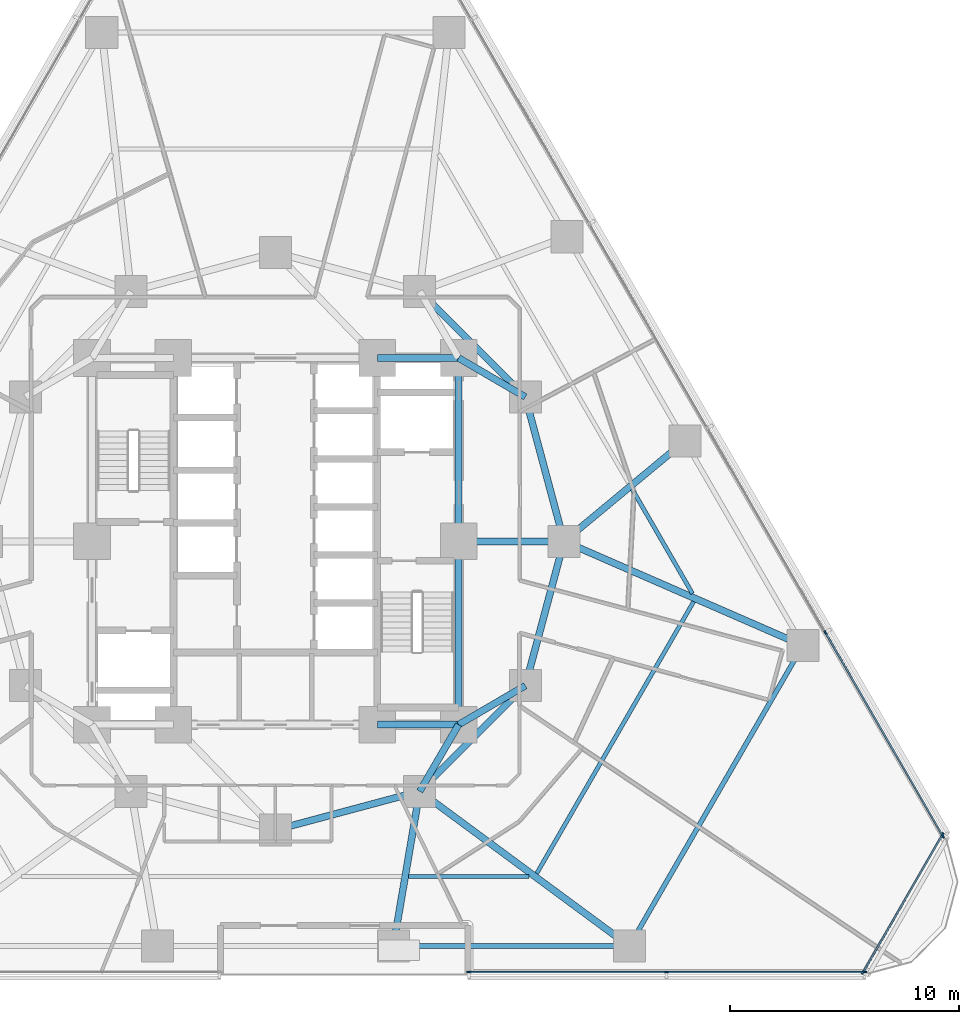
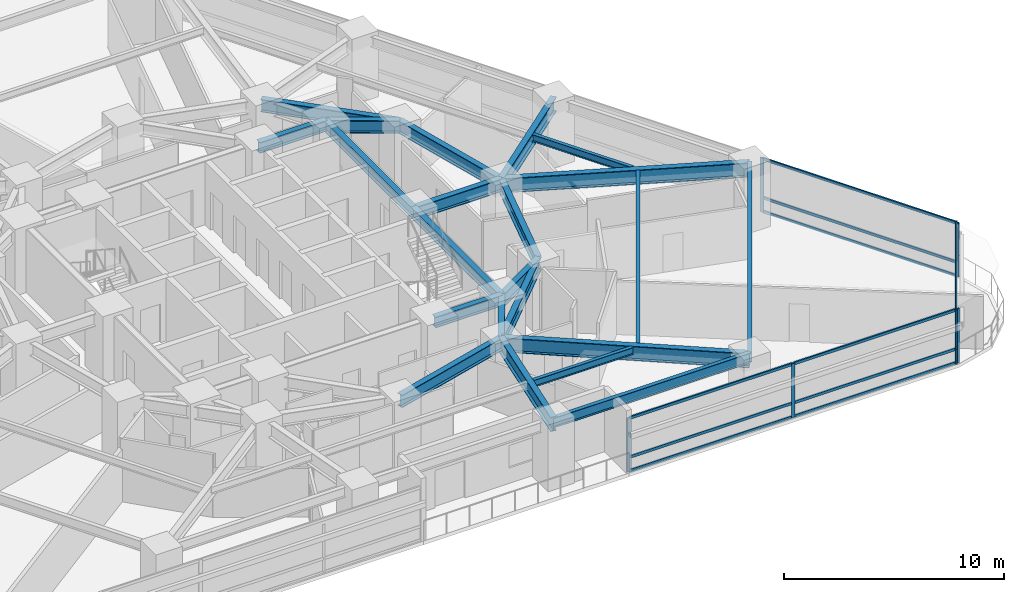
# One storey, part 4 of 16: 22 beams, 19 members, 3 elements without a shape of their own.
"""IFC4 building model written with IfcOpenShell, lengths in metres."""

from ifc_helpers import new_model, si_unit, direction, frame, origin, origin_2d, place, context, subcontext, project, spatial, rectangle, i_section, extrude, material, layer, layer_set, material_profile, profile_set, type_object, element, aggregate, save


model = new_model("IFC4")

# Units and contexts
model_context = context("Model", 3, precision=1e-05, world=origin(), true_north=direction((0.0, 1.0)))
body_context = subcontext(model_context, "Body", "Model", "MODEL_VIEW")
ifc_project = project(units=[si_unit("LENGTHUNIT", "METRE"), si_unit("AREAUNIT", "SQUARE_METRE"), si_unit("VOLUMEUNIT", "CUBIC_METRE"), si_unit("PLANEANGLEUNIT", "RADIAN"), si_unit("MASSUNIT", "GRAM", prefix="KILO")], contexts=[model_context])

# Site, building, storey
site_placement = place(None, origin())
site = spatial("IfcSite", under=ifc_project, at=site_placement, CompositionType="ELEMENT")
building_placement = place(site_placement, origin())
building = spatial("IfcBuilding", under=site, at=building_placement, Name="Terralouvre Media Tower", CompositionType="ELEMENT")
storey_placement = place(building_placement, frame((0.0, 0.0, 44.5)))
storey = spatial("IfcBuildingStorey", under=building, at=storey_placement, Name="L10", CompositionType="ELEMENT", Elevation=44.5)

# Beams
ifc_material_1 = material(Name="Structural steel S355J2", Category="steel")
ifc_material_profile_1 = material_profile(ifc_material_1, i_section(OverallWidth=0.179931640625, OverallDepth=0.39990234375, WebThickness=0.008544921875, FlangeThickness=0.013427734375, at=origin_2d()), Name="IPE 400")
ifc_profile_set_1 = profile_set([ifc_material_profile_1], Name="Structural steel S355J2")
beam_type_1 = type_object("IfcBeamType", Name="Composite Floor Joist J-IPE400 (IPE 400)", PredefinedType="JOIST", material=ifc_profile_set_1)
beam_1_placement = place(storey_placement, frame((5.817626953125, -14.627197265625, 3.300048828125), z_axis=(1.0, 0.0, 0.0), x_axis=(0.0, 1.0, 0.0)))
element("IfcBeam", 1, at=beam_1_placement, inside=storey, type_object=beam_type_1, Name="L10 Framing Beam JT-L10-04", PredefinedType="JOIST", context=body_context, shape_type="SweptSolid", body=[
    extrude(i_section(OverallWidth=0.179931640625, OverallDepth=0.39990234375, WebThickness=0.008544921875, FlangeThickness=0.013427734375, at=origin_2d()), origin(), (0.0, 0.0, 1.0), 5.264404296875),
])
beam_2_placement = place(storey_placement, frame((11.407470703125, -14.4970703125, 3.300048828125), z_axis=(0.500011895338, 0.866018535899, 0.0), x_axis=(-0.866018535899, 0.500011895338, 0.0)))
element("IfcBeam", 2, at=beam_2_placement, inside=storey, type_object=beam_type_1, Name="L10 Framing Beam JT-L10-05", PredefinedType="JOIST", context=body_context, shape_type="SweptSolid", body=[
    extrude(i_section(OverallWidth=0.179931640625, OverallDepth=0.39990234375, WebThickness=0.008544921875, FlangeThickness=0.013427734375, at=origin_2d()), origin(), (0.0, 0.0, 1.0), 13.702392578125),
])
beam_3_placement = place(storey_placement, frame((18.20849609375, -2.28369140625, 3.300048828125), z_axis=(-0.500019514865, 0.866014136579, 0.0), x_axis=(-0.866014136579, -0.500019514865, 0.0)))
element("IfcBeam", 3, at=beam_3_placement, inside=storey, type_object=beam_type_1, Name="L10 Framing Beam JT-L10-06", PredefinedType="JOIST", context=body_context, shape_type="SweptSolid", body=[
    extrude(i_section(OverallWidth=0.179931640625, OverallDepth=0.39990234375, WebThickness=0.008544921875, FlangeThickness=0.013427734375, at=origin_2d()), origin(), (0.0, 0.0, 1.0), 5.264404296875),
])

# Curtain wall, members
ifc_material_2 = material(Name="Low-iron laminated double glazing with solar-control coating", Category="glass")
ifc_layer_1 = layer(ifc_material_2, 0.1650390625, Name="Lower Media Tower Unitised Curtain Wall CW-02")
ifc_layer_set_1 = layer_set([ifc_layer_1], Name="Low-iron laminated double glazing with solar-control coating")
curtain_wall_type_1 = type_object("IfcCurtainWallType", Name="Lower Media Tower Unitised Curtain Wall CW-02", PredefinedType="NOTDEFINED", material=ifc_layer_set_1)
curtain_wall_1_placement = place(storey_placement, origin())
curtain_wall_1 = element("IfcCurtainWall", 4, at=curtain_wall_1_placement, inside=storey, type_object=curtain_wall_type_1, Name="L10 Right Flank Curtain Wall F0", PredefinedType="NOTDEFINED")
ifc_material_3 = material(Name="Anodised extruded aluminium 6063-T6", Category="aluminium")
ifc_material_profile_2 = material_profile(ifc_material_3, rectangle(XDim=0.074951171875, YDim=0.14990234375, at=origin_2d()), Name="ALU 75x150")
ifc_profile_set_2 = profile_set([ifc_material_profile_2], Name="Anodised extruded aluminium 6063-T6")
member_type_1 = type_object("IfcMemberType", Name="Curtain-Wall Horizontal Transom TR-150", PredefinedType="USERDEFINED", material=ifc_profile_set_2)
member_1_placement = place(storey_placement, frame((8.47509765625, -18.796875, 0.03759765625), z_axis=(1.0, 0.0, 0.0), x_axis=(0.0, 1.0, 0.0)))
member_1 = element("IfcMember", 5, at=member_1_placement, type_object=member_type_1, Name="CW-02 transom 1.1", ObjectType="TRANSOM", PredefinedType="USERDEFINED", context=body_context, shape_type="SweptSolid", body=[
    extrude(rectangle(XDim=0.074951171875, YDim=0.14990234375, at=origin_2d()), origin(), (0.0, 0.0, 1.0), 8.5625),
])
member_2_placement = place(storey_placement, frame((8.47509765625, -18.796875, 0.800048828125), z_axis=(1.0, 0.0, 0.0), x_axis=(0.0, 1.0, 0.0)))
member_2 = element("IfcMember", 6, at=member_2_placement, type_object=member_type_1, Name="CW-02 transom 1.2", ObjectType="TRANSOM", PredefinedType="USERDEFINED", context=body_context, shape_type="SweptSolid", body=[
    extrude(rectangle(XDim=0.074951171875, YDim=0.14990234375, at=origin_2d()), origin(), (0.0, 0.0, 1.0), 8.5625),
])
member_3_placement = place(storey_placement, frame((8.47509765625, -18.796875, 2.96240234375), z_axis=(1.0, 0.0, 0.0), x_axis=(0.0, 1.0, 0.0)))
member_3 = element("IfcMember", 7, at=member_3_placement, type_object=member_type_1, Name="CW-02 transom 1.3", ObjectType="TRANSOM", PredefinedType="USERDEFINED", context=body_context, shape_type="SweptSolid", body=[
    extrude(rectangle(XDim=0.074951171875, YDim=0.14990234375, at=origin_2d()), origin(), (0.0, 0.0, 1.0), 8.5625),
])
member_4_placement = place(storey_placement, frame((17.112548828125, -18.796875, 0.03759765625), z_axis=(1.0, 0.0, 0.0), x_axis=(0.0, 1.0, 0.0)))
member_4 = element("IfcMember", 8, at=member_4_placement, type_object=member_type_1, Name="CW-02 transom 2.1", ObjectType="TRANSOM", PredefinedType="USERDEFINED", context=body_context, shape_type="SweptSolid", body=[
    extrude(rectangle(XDim=0.074951171875, YDim=0.14990234375, at=origin_2d()), origin(), (0.0, 0.0, 1.0), 8.5625),
])
member_5_placement = place(storey_placement, frame((17.112548828125, -18.796875, 0.800048828125), z_axis=(1.0, 0.0, 0.0), x_axis=(0.0, 1.0, 0.0)))
member_5 = element("IfcMember", 9, at=member_5_placement, type_object=member_type_1, Name="CW-02 transom 2.2", ObjectType="TRANSOM", PredefinedType="USERDEFINED", context=body_context, shape_type="SweptSolid", body=[
    extrude(rectangle(XDim=0.074951171875, YDim=0.14990234375, at=origin_2d()), origin(), (0.0, 0.0, 1.0), 8.5625),
])
member_6_placement = place(storey_placement, frame((17.112548828125, -18.796875, 2.96240234375), z_axis=(1.0, 0.0, 0.0), x_axis=(0.0, 1.0, 0.0)))
member_6 = element("IfcMember", 10, at=member_6_placement, type_object=member_type_1, Name="CW-02 transom 2.3", ObjectType="TRANSOM", PredefinedType="USERDEFINED", context=body_context, shape_type="SweptSolid", body=[
    extrude(rectangle(XDim=0.074951171875, YDim=0.14990234375, at=origin_2d()), origin(), (0.0, 0.0, 1.0), 8.5625),
])

curtain_wall_2_placement = place(storey_placement, origin())
curtain_wall_2 = element("IfcCurtainWall", 11, at=curtain_wall_2_placement, inside=storey, type_object=curtain_wall_type_1, Name="L10 Facade Curtain Wall F1", PredefinedType="NOTDEFINED")
member_7_placement = place(storey_placement, frame((29.115966796875, -12.8369140625, 0.03759765625), z_axis=(-0.499994895054, 0.866028351106, 0.0), x_axis=(-0.866028351106, -0.499994895054, 0.0)))
member_7 = element("IfcMember", 12, at=member_7_placement, type_object=member_type_1, Name="CW-02 transom 1.1", ObjectType="TRANSOM", PredefinedType="USERDEFINED", context=body_context, shape_type="SweptSolid", body=[
    extrude(rectangle(XDim=0.074951171875, YDim=0.14990234375, at=origin_2d()), origin(), (0.0, 0.0, 1.0), 10.1875),
])
member_8_placement = place(storey_placement, frame((29.115966796875, -12.8369140625, 0.800048828125), z_axis=(-0.499994895054, 0.866028351106, 0.0), x_axis=(-0.866028351106, -0.499994895054, 0.0)))
member_8 = element("IfcMember", 13, at=member_8_placement, type_object=member_type_1, Name="CW-02 transom 1.2", ObjectType="TRANSOM", PredefinedType="USERDEFINED", context=body_context, shape_type="SweptSolid", body=[
    extrude(rectangle(XDim=0.074951171875, YDim=0.14990234375, at=origin_2d()), origin(), (0.0, 0.0, 1.0), 10.1875),
])
member_9_placement = place(storey_placement, frame((29.115966796875, -12.8369140625, 2.96240234375), z_axis=(-0.499994895054, 0.866028351106, 0.0), x_axis=(-0.866028351106, -0.499994895054, 0.0)))
member_9 = element("IfcMember", 14, at=member_9_placement, type_object=member_type_1, Name="CW-02 transom 1.3", ObjectType="TRANSOM", PredefinedType="USERDEFINED", context=body_context, shape_type="SweptSolid", body=[
    extrude(rectangle(XDim=0.074951171875, YDim=0.14990234375, at=origin_2d()), origin(), (0.0, 0.0, 1.0), 10.1875),
])

ifc_material_4 = material(Name="Low-iron laminated double glazing with solar-control coating", Category="glass")
ifc_layer_2 = layer(ifc_material_4, 0.1650390625, Name="Rounded Wind-Corner Curved Glazing CW-04")
ifc_layer_set_2 = layer_set([ifc_layer_2], Name="Low-iron laminated double glazing with solar-control coating")
curtain_wall_type_2 = type_object("IfcCurtainWallType", Name="Rounded Wind-Corner Curved Glazing CW-04", PredefinedType="NOTDEFINED", material=ifc_layer_set_2)
curtain_wall_3_placement = place(storey_placement, origin())
curtain_wall_3 = element("IfcCurtainWall", 15, at=curtain_wall_3_placement, inside=storey, type_object=curtain_wall_type_2, Name="L10 Rounded Wind-Corner Curtain Wall C1", PredefinedType="NOTDEFINED")
member_10_placement = place(storey_placement, frame((25.666259765625, -18.78173828125, 0.03759765625), z_axis=(0.499998495495, 0.866026272409, 0.0), x_axis=(-0.866026272409, 0.499998495495, 0.0)))
member_10 = element("IfcMember", 16, at=member_10_placement, type_object=member_type_1, Name="CW-04 transom 1.1", ObjectType="TRANSOM", PredefinedType="USERDEFINED", context=body_context, shape_type="SweptSolid", body=[
    extrude(rectangle(XDim=0.074951171875, YDim=0.14990234375, at=origin_2d()), origin(), (0.0, 0.0, 1.0), 6.86474609375),
])
member_11_placement = place(storey_placement, frame((25.666259765625, -18.78173828125, 0.800048828125), z_axis=(0.499998495495, 0.866026272409, 0.0), x_axis=(-0.866026272409, 0.499998495495, 0.0)))
member_11 = element("IfcMember", 17, at=member_11_placement, type_object=member_type_1, Name="CW-04 transom 1.2", ObjectType="TRANSOM", PredefinedType="USERDEFINED", context=body_context, shape_type="SweptSolid", body=[
    extrude(rectangle(XDim=0.074951171875, YDim=0.14990234375, at=origin_2d()), origin(), (0.0, 0.0, 1.0), 6.86474609375),
])
member_12_placement = place(storey_placement, frame((25.666259765625, -18.78173828125, 2.96240234375), z_axis=(0.499998495495, 0.866026272409, 0.0), x_axis=(-0.866026272409, 0.499998495495, 0.0)))
member_12 = element("IfcMember", 18, at=member_12_placement, type_object=member_type_1, Name="CW-04 transom 1.3", ObjectType="TRANSOM", PredefinedType="USERDEFINED", context=body_context, shape_type="SweptSolid", body=[
    extrude(rectangle(XDim=0.074951171875, YDim=0.14990234375, at=origin_2d()), origin(), (0.0, 0.0, 1.0), 6.86474609375),
])

# Member
ifc_material_5 = material(Name="Anodised extruded aluminium 6063-T6", Category="aluminium")
ifc_material_profile_3 = material_profile(ifc_material_5, rectangle(XDim=0.074951171875, YDim=0.179931640625, at=origin_2d()), Name="ALU 75x180")
ifc_profile_set_3 = profile_set([ifc_material_profile_3], Name="Anodised extruded aluminium 6063-T6")
member_type_2 = type_object("IfcMemberType", Name="Curtain-Wall Vertical Mullion ML-180", PredefinedType="MULLION", material=ifc_profile_set_3)
member_13_placement = place(storey_placement, frame((8.4375, -18.796875, 0.0), z_axis=(0.0, 0.0, 1.0), x_axis=(0.0, 1.0, 0.0)))
member_13 = element("IfcMember", 19, at=member_13_placement, type_object=member_type_2, Name="CW-02 mullion 1", PredefinedType="MULLION", context=body_context, shape_type="SweptSolid", body=[
    extrude(rectangle(XDim=0.074951171875, YDim=0.179931640625, at=origin_2d()), origin(), (0.0, 0.0, 1.0), 3.0),
])

member_14_placement = place(storey_placement, frame((17.074951171875, -18.796875, 0.0), z_axis=(0.0, 0.0, 1.0), x_axis=(0.0, 1.0, 0.0)))
member_14 = element("IfcMember", 20, at=member_14_placement, type_object=member_type_2, Name="CW-02 mullion 2", PredefinedType="MULLION", context=body_context, shape_type="SweptSolid", body=[
    extrude(rectangle(XDim=0.074951171875, YDim=0.179931640625, at=origin_2d()), origin(), (0.0, 0.0, 1.0), 3.0),
])

member_15_placement = place(storey_placement, frame((25.71240234375, -18.796875, 0.0), z_axis=(0.0, 0.0, 1.0), x_axis=(0.0, 1.0, 0.0)))
member_15 = element("IfcMember", 21, at=member_15_placement, type_object=member_type_2, Name="CW-02 mullion 3", PredefinedType="MULLION", context=body_context, shape_type="SweptSolid", body=[
    extrude(rectangle(XDim=0.074951171875, YDim=0.179931640625, at=origin_2d()), origin(), (0.0, 0.0, 1.0), 3.0),
])

aggregate(curtain_wall_1, [member_13, member_14, member_15, member_1, member_2, member_3, member_4, member_5, member_6])

member_16_placement = place(storey_placement, frame((29.134765625, -12.869384765625, 0.0), z_axis=(0.0, 0.0, 1.0), x_axis=(-0.866025412057, -0.499999985671, 0.0)))
member_16 = element("IfcMember", 22, at=member_16_placement, type_object=member_type_2, Name="CW-02 mullion 1", PredefinedType="MULLION", context=body_context, shape_type="SweptSolid", body=[
    extrude(rectangle(XDim=0.074951171875, YDim=0.179931640625, at=origin_2d()), origin(), (0.0, 0.0, 1.0), 3.0),
])

member_17_placement = place(storey_placement, frame((24.00341796875, -3.981689453125, 0.0), z_axis=(0.0, 0.0, 1.0), x_axis=(-0.866025412057, -0.499999985671, 0.0)))
member_17 = element("IfcMember", 23, at=member_17_placement, type_object=member_type_2, Name="CW-02 mullion 2", PredefinedType="MULLION", context=body_context, shape_type="SweptSolid", body=[
    extrude(rectangle(XDim=0.074951171875, YDim=0.179931640625, at=origin_2d()), origin(), (0.0, 0.0, 1.0), 3.0),
])

aggregate(curtain_wall_2, [member_16, member_17, member_7, member_8, member_9])

member_18_placement = place(storey_placement, frame((25.6474609375, -18.814208984375, 0.0), z_axis=(0.0, 0.0, 1.0), x_axis=(-0.866025581895, 0.499999691503, 0.0)))
member_18 = element("IfcMember", 24, at=member_18_placement, type_object=member_type_2, Name="CW-04 mullion 1", PredefinedType="MULLION", context=body_context, shape_type="SweptSolid", body=[
    extrude(rectangle(XDim=0.074951171875, YDim=0.179931640625, at=origin_2d()), origin(), (0.0, 0.0, 1.0), 3.0),
])

member_19_placement = place(storey_placement, frame((29.117431640625, -12.80419921875, 0.0), z_axis=(0.0, 0.0, 1.0), x_axis=(-0.866025581895, 0.499999691503, 0.0)))
member_19 = element("IfcMember", 25, at=member_19_placement, type_object=member_type_2, Name="CW-04 mullion 2", PredefinedType="MULLION", context=body_context, shape_type="SweptSolid", body=[
    extrude(rectangle(XDim=0.074951171875, YDim=0.179931640625, at=origin_2d()), origin(), (0.0, 0.0, 1.0), 3.0),
])

aggregate(curtain_wall_3, [member_18, member_19, member_10, member_11, member_12])

# Beams
ifc_material_6 = material(Name="Structural steel S355J2", Category="steel")
ifc_material_profile_4 = material_profile(ifc_material_6, i_section(OverallWidth=0.2099609375, OverallDepth=0.550048828125, WebThickness=0.010986328125, FlangeThickness=0.01708984375, at=origin_2d()), Name="IPE 550")
ifc_profile_set_4 = profile_set([ifc_material_profile_4], Name="Structural steel S355J2")
beam_type_2 = type_object("IfcBeamType", Name="Perimeter Spandrel Beam SPB-550 (IPE 550)", PredefinedType="SPANDREL", material=ifc_profile_set_4)
beam_4_placement = place(storey_placement, frame((5.14990234375, -17.666748046875, 3.22509765625), z_axis=(1.0, 0.0, 0.0), x_axis=(0.0, 1.0, 0.0)))
element("IfcBeam", 26, at=beam_4_placement, inside=storey, type_object=beam_type_2, Name="L10 Framing Beam BM-L10-PR04", PredefinedType="SPANDREL", context=body_context, shape_type="SweptSolid", body=[
    extrude(i_section(OverallWidth=0.2099609375, OverallDepth=0.550048828125, WebThickness=0.010986328125, FlangeThickness=0.01708984375, at=origin_2d()), origin(), (0.0, 0.0, 1.0), 10.300048828125),
])
beam_5_placement = place(storey_placement, frame((15.449951171875, -17.666748046875, 3.22509765625), z_axis=(0.500002375365, 0.866024032363, 0.0), x_axis=(-0.866024032363, 0.500002375365, 0.0)))
element("IfcBeam", 27, at=beam_5_placement, inside=storey, type_object=beam_type_2, Name="L10 Framing Beam BM-L10-PR05", PredefinedType="SPANDREL", context=body_context, shape_type="SweptSolid", body=[
    extrude(i_section(OverallWidth=0.2099609375, OverallDepth=0.550048828125, WebThickness=0.010986328125, FlangeThickness=0.01708984375, at=origin_2d()), origin(), (0.0, 0.0, 1.0), 15.14990234375),
])
ifc_material_7 = material(Name="Structural steel S460M", Category="steel")
ifc_material_profile_5 = material_profile(ifc_material_7, i_section(OverallWidth=0.300048828125, OverallDepth=0.60009765625, WebThickness=0.015380859375, FlangeThickness=0.030029296875, at=origin_2d()), Name="HEB 600")
ifc_profile_set_5 = profile_set([ifc_material_profile_5], Name="Structural steel S460M")
beam_type_3 = type_object("IfcBeamType", Name="Primary Floor Girder B-HEB600 (HEB 600)", PredefinedType="BEAM", material=ifc_profile_set_5)
beam_6_placement = place(storey_placement, frame((4.449951171875, -8.0, 3.199951171875), z_axis=(1.0, 0.0, 0.0), x_axis=(0.0, 1.0, 0.0)))
element("IfcBeam", 28, at=beam_6_placement, inside=storey, type_object=beam_type_3, Name="L10 Framing Beam BM-L10-CPR03", PredefinedType="BEAM", context=body_context, shape_type="SweptSolid", body=[
    extrude(i_section(OverallWidth=0.300048828125, OverallDepth=0.60009765625, WebThickness=0.015380859375, FlangeThickness=0.030029296875, at=origin_2d()), origin(), (0.0, 0.0, 1.0), 3.550048828125),
])
for number, where, z_axis, x_axis, name in (
    (29, (8.0, -8.0, 3.199951171875), (0.0, 1.0, 0.0), (-1.0, 0.0, 0.0), "L10 Framing Beam BM-L10-CPR04"),
    (30, (8.0, 0.0, 3.199951171875), (0.0, 1.0, 0.0), (-1.0, 0.0, 0.0), "L10 Framing Beam BM-L10-CPR05"),
):
    element("IfcBeam", number, at=place(storey_placement, frame(where, z_axis=z_axis, x_axis=x_axis)), inside=storey, type_object=beam_type_3, Name=name, PredefinedType="BEAM", context=body_context, shape_type="SweptSolid", body=[
        extrude(i_section(OverallWidth=0.300048828125, OverallDepth=0.60009765625, WebThickness=0.015380859375, FlangeThickness=0.030029296875, at=origin_2d()), origin(), (0.0, 0.0, 1.0), 8.0),
    ])
beam_7_placement = place(storey_placement, frame((8.0, 8.0, 3.199951171875), z_axis=(-1.0, 0.0, 0.0), x_axis=(0.0, -1.0, 0.0)))
element("IfcBeam", 31, at=beam_7_placement, inside=storey, type_object=beam_type_3, Name="L10 Framing Beam BM-L10-CPR06", PredefinedType="BEAM", context=body_context, shape_type="SweptSolid", body=[
    extrude(i_section(OverallWidth=0.300048828125, OverallDepth=0.60009765625, WebThickness=0.015380859375, FlangeThickness=0.030029296875, at=origin_2d()), origin(), (0.0, 0.0, 1.0), 3.550048828125),
])
ifc_material_8 = material(Name="Structural steel S460M", Category="steel")
ifc_material_profile_6 = material_profile(ifc_material_8, i_section(OverallWidth=0.300048828125, OverallDepth=0.699951171875, WebThickness=0.01708984375, FlangeThickness=0.031982421875, at=origin_2d()), Name="HEB 700")
ifc_profile_set_6 = profile_set([ifc_material_profile_6], Name="Structural steel S460M")
beam_type_4 = type_object("IfcBeamType", Name="Primary Floor Girder B-HEB700 (HEB 700)", PredefinedType="BEAM", material=ifc_profile_set_6)
beam_8_placement = place(storey_placement, frame((0.0, -12.60009765625, 3.14990234375), z_axis=(0.965920481897, 0.258838989821, 0.0), x_axis=(-0.258838989821, 0.965920481897, 0.0)))
element("IfcBeam", 32, at=beam_8_placement, inside=storey, type_object=beam_type_4, Name="L10 Framing Beam BM-L10-MR03", PredefinedType="BEAM", context=body_context, shape_type="SweptSolid", body=[
    extrude(i_section(OverallWidth=0.300048828125, OverallDepth=0.699951171875, WebThickness=0.01708984375, FlangeThickness=0.031982421875, at=origin_2d()), origin(), (0.0, 0.0, 1.0), 6.522216796875),
])
beam_9_placement = place(storey_placement, frame((6.300048828125, -10.911865234375, 3.14990234375), z_axis=(0.707106781187, 0.707106781187, 0.0), x_axis=(-0.707106781187, 0.707106781187, 0.0)))
element("IfcBeam", 33, at=beam_9_placement, inside=storey, type_object=beam_type_4, Name="L10 Framing Beam BM-L10-MR04", PredefinedType="BEAM", context=body_context, shape_type="SweptSolid", body=[
    extrude(i_section(OverallWidth=0.300048828125, OverallDepth=0.699951171875, WebThickness=0.01708984375, FlangeThickness=0.031982421875, at=origin_2d()), origin(), (0.0, 0.0, 1.0), 6.52197265625),
])
for number, where, z_axis, x_axis, name in (
    (34, (10.911865234375, -6.300048828125, 3.14990234375), (0.258838989821, 0.965920481897, 0.0), (-0.965920481897, 0.258838989821, 0.0), "L10 Framing Beam BM-L10-MR05"),
    (35, (12.60009765625, 0.0, 3.14990234375), (-0.258838989821, 0.965920481897, 0.0), (-0.965920481897, -0.258838989821, 0.0), "L10 Framing Beam BM-L10-MR06"),
):
    element("IfcBeam", number, at=place(storey_placement, frame(where, z_axis=z_axis, x_axis=x_axis)), inside=storey, type_object=beam_type_4, Name=name, PredefinedType="BEAM", context=body_context, shape_type="SweptSolid", body=[
        extrude(i_section(OverallWidth=0.300048828125, OverallDepth=0.699951171875, WebThickness=0.01708984375, FlangeThickness=0.031982421875, at=origin_2d()), origin(), (0.0, 0.0, 1.0), 6.522216796875),
    ])
beam_10_placement = place(storey_placement, frame((10.911865234375, 6.300048828125, 3.14990234375), z_axis=(-0.707106781187, 0.707106781187, 0.0), x_axis=(-0.707106781187, -0.707106781187, 0.0)))
element("IfcBeam", 36, at=beam_10_placement, inside=storey, type_object=beam_type_4, Name="L10 Framing Beam BM-L10-MR07", PredefinedType="BEAM", context=body_context, shape_type="SweptSolid", body=[
    extrude(i_section(OverallWidth=0.300048828125, OverallDepth=0.699951171875, WebThickness=0.01708984375, FlangeThickness=0.031982421875, at=origin_2d()), origin(), (0.0, 0.0, 1.0), 6.52197265625),
])
for number, where, z_axis, x_axis, name in (
    (37, (8.0, -8.0, 3.14990234375), (-0.504172629717, -0.863602894532, 0.0), (0.863602894532, -0.504172629717, 0.0), "L10 Framing Beam BM-L10-CM04"),
    (38, (8.0, -8.0, 3.14990234375), (0.863602894532, 0.504172629717, 0.0), (-0.504172629717, 0.863602894532, 0.0), "L10 Framing Beam BM-L10-CM05"),
):
    element("IfcBeam", number, at=place(storey_placement, frame(where, z_axis=z_axis, x_axis=x_axis)), inside=storey, type_object=beam_type_4, Name=name, PredefinedType="BEAM", context=body_context, shape_type="SweptSolid", body=[
        extrude(i_section(OverallWidth=0.300048828125, OverallDepth=0.699951171875, WebThickness=0.01708984375, FlangeThickness=0.031982421875, at=origin_2d()), origin(), (0.0, 0.0, 1.0), 3.371826171875),
    ])
beam_11_placement = place(storey_placement, frame((8.0, 0.0, 3.14990234375), z_axis=(1.0, 0.0, 0.0), x_axis=(0.0, 1.0, 0.0)))
element("IfcBeam", 39, at=beam_11_placement, inside=storey, type_object=beam_type_4, Name="L10 Framing Beam BM-L10-CM06", PredefinedType="BEAM", context=body_context, shape_type="SweptSolid", body=[
    extrude(i_section(OverallWidth=0.300048828125, OverallDepth=0.699951171875, WebThickness=0.01708984375, FlangeThickness=0.031982421875, at=origin_2d()), origin(), (0.0, 0.0, 1.0), 4.60009765625),
])
beam_12_placement = place(storey_placement, frame((8.0, 8.0, 3.14990234375), z_axis=(0.863602894532, -0.504172629717, 0.0), x_axis=(0.504172629717, 0.863602894532, 0.0)))
element("IfcBeam", 40, at=beam_12_placement, inside=storey, type_object=beam_type_4, Name="L10 Framing Beam BM-L10-CM07", PredefinedType="BEAM", context=body_context, shape_type="SweptSolid", body=[
    extrude(i_section(OverallWidth=0.300048828125, OverallDepth=0.699951171875, WebThickness=0.01708984375, FlangeThickness=0.031982421875, at=origin_2d()), origin(), (0.0, 0.0, 1.0), 3.371826171875),
])
ifc_material_9 = material(Name="Structural steel S460M", Category="steel")
ifc_material_profile_7 = material_profile(ifc_material_9, i_section(OverallWidth=0.300048828125, OverallDepth=0.800048828125, WebThickness=0.017578125, FlangeThickness=0.032958984375, at=origin_2d()), Name="HEB 800")
ifc_profile_set_7 = profile_set([ifc_material_profile_7], Name="Structural steel S460M")
beam_type_5 = type_object("IfcBeamType", Name="Primary Floor Girder B-HEB800 (HEB 800)", PredefinedType="BEAM", material=ifc_profile_set_7)
beam_13_placement = place(storey_placement, frame((6.300048828125, -10.911865234375, 3.10009765625), z_axis=(-0.167853129882, -0.98581201392, 0.0), x_axis=(0.98581201392, -0.167853129882, 0.0)))
element("IfcBeam", 41, at=beam_13_placement, inside=storey, type_object=beam_type_5, Name="L10 Framing Beam BM-L10-RD04", PredefinedType="BEAM", context=body_context, shape_type="SweptSolid", body=[
    extrude(i_section(OverallWidth=0.300048828125, OverallDepth=0.800048828125, WebThickness=0.017578125, FlangeThickness=0.032958984375, at=origin_2d()), origin(), (0.0, 0.0, 1.0), 6.85205078125),
])
beam_14_placement = place(storey_placement, frame((6.300048828125, -10.911865234375, 3.10009765625), z_axis=(0.804515955091, -0.593931038088, 0.0), x_axis=(0.593931038088, 0.804515955091, 0.0)))
element("IfcBeam", 42, at=beam_14_placement, inside=storey, type_object=beam_type_5, Name="L10 Framing Beam BM-L10-RD05", PredefinedType="BEAM", context=body_context, shape_type="SweptSolid", body=[
    extrude(i_section(OverallWidth=0.300048828125, OverallDepth=0.800048828125, WebThickness=0.017578125, FlangeThickness=0.032958984375, at=origin_2d()), origin(), (0.0, 0.0, 1.0), 11.373291015625),
])
beam_15_placement = place(storey_placement, frame((12.60009765625, 0.0, 3.10009765625), z_axis=(0.916615903868, -0.399769039291, 0.0), x_axis=(0.399769039291, 0.916615903868, 0.0)))
element("IfcBeam", 43, at=beam_15_placement, inside=storey, type_object=beam_type_5, Name="L10 Framing Beam BM-L10-RD06", PredefinedType="BEAM", context=body_context, shape_type="SweptSolid", body=[
    extrude(i_section(OverallWidth=0.300048828125, OverallDepth=0.800048828125, WebThickness=0.017578125, FlangeThickness=0.032958984375, at=origin_2d()), origin(), (0.0, 0.0, 1.0), 11.373046875),
])
beam_16_placement = place(storey_placement, frame((12.60009765625, 0.0, 3.10009765625), z_axis=(0.769816459478, 0.638265320001, 0.0), x_axis=(-0.638265320001, 0.769816459478, 0.0)))
element("IfcBeam", 44, at=beam_16_placement, inside=storey, type_object=beam_type_5, Name="L10 Framing Beam BM-L10-RD07", PredefinedType="BEAM", context=body_context, shape_type="SweptSolid", body=[
    extrude(i_section(OverallWidth=0.300048828125, OverallDepth=0.800048828125, WebThickness=0.017578125, FlangeThickness=0.032958984375, at=origin_2d()), origin(), (0.0, 0.0, 1.0), 6.851806640625),
])

save(model, "model.ifc")
